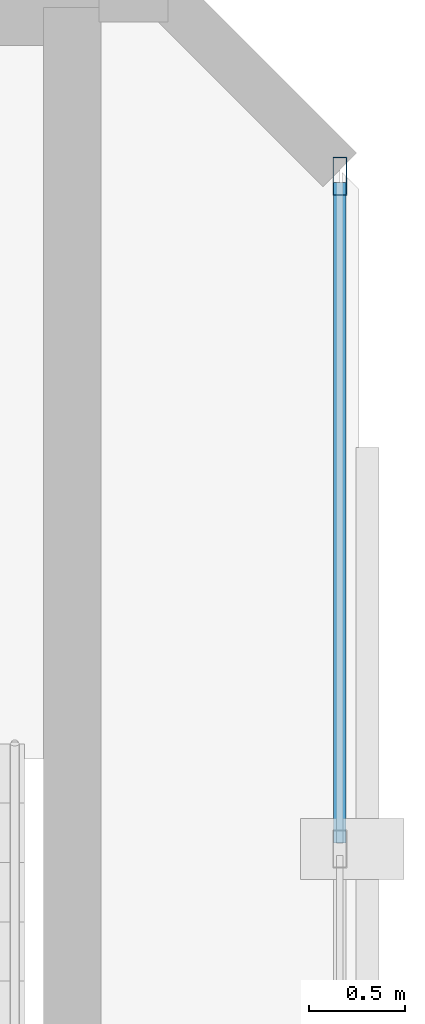
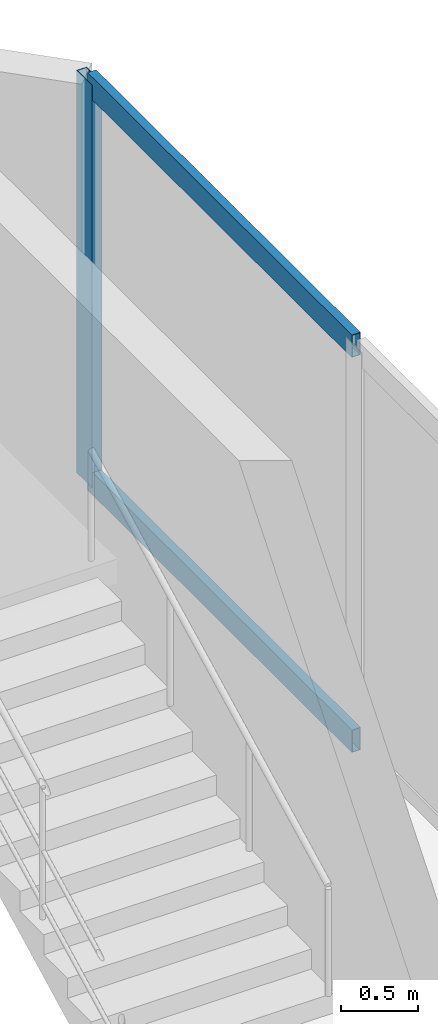
# One storey, part 4 of 7: 3 members, 1 element without a shape of its own.
"""IFC4 building model written with IfcOpenShell, lengths in metres."""

from ifc_helpers import new_model, si_unit, direction, frame, origin, origin_2d, place, context, subcontext, project, spatial, hollow_rectangle, extrude, material, layer, layer_set, material_profile, profile_set, type_object, element, aggregate, save


model = new_model("IFC4")

# Units and contexts
model_context = context("Model", 3, precision=1e-05, world=origin(), true_north=direction((0.0, 1.0)))
body_context = subcontext(model_context, "Body", "Model", "MODEL_VIEW")
ifc_project = project(units=[si_unit("LENGTHUNIT", "METRE"), si_unit("AREAUNIT", "SQUARE_METRE"), si_unit("VOLUMEUNIT", "CUBIC_METRE"), si_unit("PLANEANGLEUNIT", "RADIAN"), si_unit("MASSUNIT", "GRAM", prefix="KILO")], contexts=[model_context])

# Site, building, storey
site_placement = place(None, origin())
site = spatial("IfcSite", under=ifc_project, at=site_placement, CompositionType="ELEMENT")
building_placement = place(site_placement, origin())
building = spatial("IfcBuilding", under=site, at=building_placement, Name="Catumbela Crestline Tower", CompositionType="ELEMENT")
storey_placement = place(building_placement, frame((0.0, 0.0, 308.0)))
storey = spatial("IfcBuildingStorey", under=building, at=storey_placement, Name="L79", CompositionType="ELEMENT", Elevation=308.0)

# Curtain wall, members
ifc_material = material(Name="Aluminium alloy AW-6060-T66", Category="aluminium")
ifc_layer = layer(ifc_material, 0.18, Name="Aluminium alloy AW-6060-T66")
ifc_layer_set = layer_set([ifc_layer], Name="Aluminium alloy AW-6060-T66")
curtain_wall_type = type_object("IfcCurtainWallType", Name="CWS-OBS", PredefinedType="USERDEFINED", material=ifc_layer_set)
curtain_wall_placement = place(storey_placement, origin())
curtain_wall = element("IfcCurtainWall", 1, at=curtain_wall_placement, inside=storey, type_object=curtain_wall_type, Name="L79 Stick Curtain Wall CW-L79-E2S1", ObjectType="STICK", PredefinedType="USERDEFINED")
ifc_material_profile_1 = material_profile(ifc_material, hollow_rectangle(XDim=0.075, YDim=0.2, WallThickness=0.005, at=origin_2d()), Name="ALU 200x75x5")
ifc_profile_set_1 = profile_set([ifc_material_profile_1], Name="Aluminium alloy AW-6060-T66")
member_type_1 = type_object("IfcMemberType", Name="MUL-200X75", PredefinedType="MULLION", material=ifc_profile_set_1)
member_1_placement = place(storey_placement, frame((41.4, 42.0675, 0.0), z_axis=(0.0, 0.0, 1.0), x_axis=(-1.0, 0.0, 0.0)))
member_1 = element("IfcMember", 2, at=member_1_placement, type_object=member_type_1, Name="CWS-OBS mullion 5", PredefinedType="MULLION", context=body_context, shape_type="SweptSolid", body=[
    extrude(hollow_rectangle(XDim=0.075, YDim=0.2, WallThickness=0.005, at=origin_2d()), origin(), (0.0, 0.0, 1.0), 3.21),
])
ifc_material_profile_2 = material_profile(ifc_material, hollow_rectangle(XDim=0.065, YDim=0.18, WallThickness=0.004, at=origin_2d()), Name="ALU 180x65x4")
ifc_profile_set_2 = profile_set([ifc_material_profile_2], Name="Aluminium alloy AW-6060-T66")
member_type_2 = type_object("IfcMemberType", Name="TRN-180X65", PredefinedType="USERDEFINED", material=ifc_profile_set_2)
member_2_placement = place(storey_placement, frame((41.4, 38.5825, 0.03), z_axis=(0.0, 1.0, 0.0), x_axis=(-1.0, 0.0, 0.0)))
member_2 = element("IfcMember", 3, at=member_2_placement, type_object=member_type_2, Name="CWS-OBS transom 4.1", ObjectType="TRANSOM", PredefinedType="USERDEFINED", context=body_context, shape_type="SweptSolid", body=[
    extrude(hollow_rectangle(XDim=0.065, YDim=0.18, WallThickness=0.004, at=origin_2d()), origin(), (0.0, 0.0, 1.0), 3.4525),
])
member_3_placement = place(storey_placement, frame((41.4, 38.5825, 3.18), z_axis=(0.0, 1.0, 0.0), x_axis=(-1.0, 0.0, 0.0)))
member_3 = element("IfcMember", 4, at=member_3_placement, type_object=member_type_2, Name="CWS-OBS transom 4.2", ObjectType="TRANSOM", PredefinedType="USERDEFINED", context=body_context, shape_type="SweptSolid", body=[
    extrude(hollow_rectangle(XDim=0.065, YDim=0.18, WallThickness=0.004, at=origin_2d()), origin(), (0.0, 0.0, 1.0), 3.4525),
])
aggregate(curtain_wall, [member_1, member_2, member_3])

save(model, "model.ifc")
